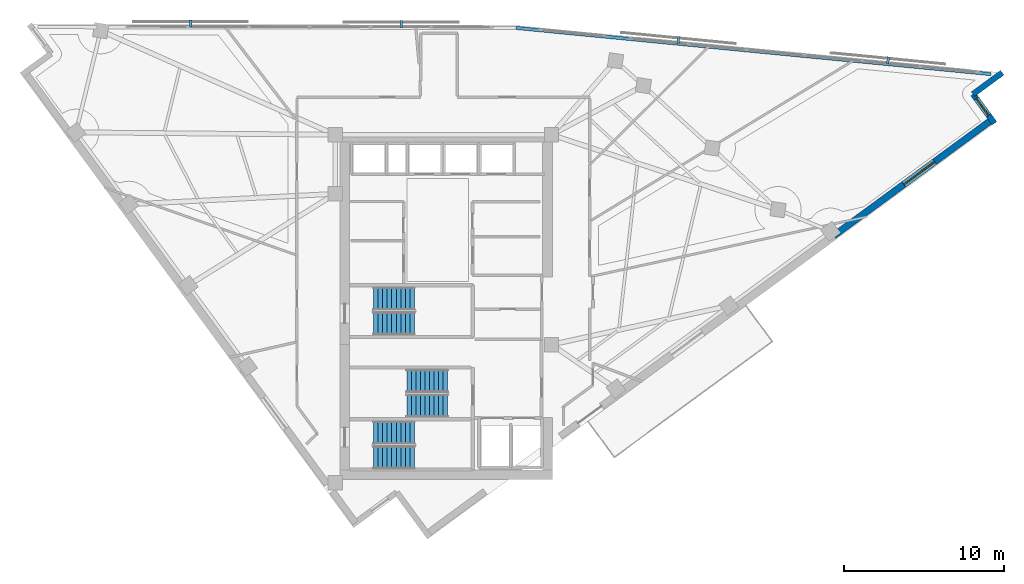
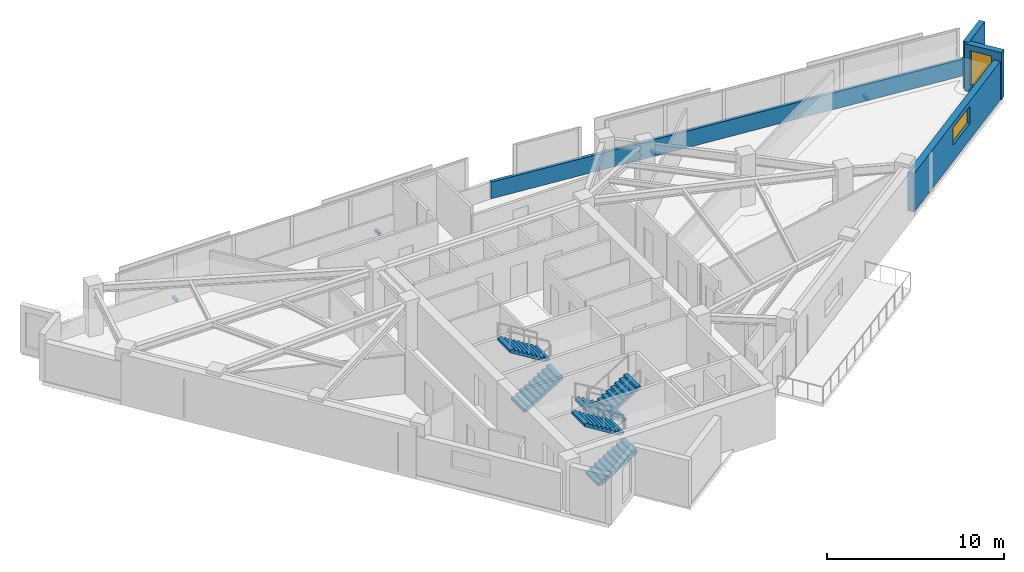
# One storey, part 11 of 13: 6 stair flights, 4 discrete accessories, 4 walls, 2 windows, 2 openings, 3 elements without a shape of their own.
"""IFC4 building model written with IfcOpenShell, lengths in metres."""

from ifc_helpers import new_model, si_unit, direction, frame, frame_2d, origin, origin_2d, place, context, subcontext, project, spatial, polyline, rectangle, outline, extrude, material, layer, layer_set, type_object, element, fill, aggregate, save


model = new_model("IFC4")

# Units and contexts
model_context = context("Model", 3, precision=1e-05, world=origin(), true_north=direction((0.0, 1.0)))
body_context = subcontext(model_context, "Body", "Model", "MODEL_VIEW")
ifc_project = project(units=[si_unit("LENGTHUNIT", "METRE"), si_unit("AREAUNIT", "SQUARE_METRE"), si_unit("VOLUMEUNIT", "CUBIC_METRE"), si_unit("PLANEANGLEUNIT", "RADIAN"), si_unit("MASSUNIT", "GRAM", prefix="KILO")], contexts=[model_context])

# Site, building, storey
site_placement = place(None, origin())
site = spatial("IfcSite", under=ifc_project, at=site_placement, CompositionType="ELEMENT")
building_placement = place(site_placement, origin())
building = spatial("IfcBuilding", under=site, at=building_placement, Name="Narakoshi Arena Tower", CompositionType="ELEMENT")
storey_placement = place(building_placement, frame((0.0, 0.0, 232.580078125)))
storey = spatial("IfcBuildingStorey", under=building, at=storey_placement, Name="L63", CompositionType="ELEMENT", Elevation=232.580078125)

# Wall
ifc_material_1 = material(Name="Precast concrete C45/55", Category="concrete")
ifc_layer_1 = layer(ifc_material_1, 0.25)
ifc_layer_set_1 = layer_set([ifc_layer_1], Name="Precast concrete C45/55")
wall_type_1 = type_object("IfcWallType", Name="WL-PARA-250", PredefinedType="PARAPET", material=ifc_layer_set_1)
wall_1_placement = place(storey_placement, frame((113.093505859375, 60.296630859375, 0.0), z_axis=(0.0, 0.0, 1.0), x_axis=(-0.995299069493, 0.096849172769, 0.0)))
element("IfcWall", 1, at=wall_1_placement, inside=storey, type_object=wall_type_1, Name="L63 Hypotenuse Sill Upstand Parapet 1-01", PredefinedType="PARAPET", context=body_context, shape_type="SweptSolid", body=[
    extrude(rectangle(XDim=29.917236328125, YDim=0.199951171875, at=frame_2d((14.95849609375, 0.0))), origin(), (0.0, 0.0, 1.0), 1.14990234375),
])

# Wall, opening, window
ifc_layer_2 = layer(ifc_material_1, 0.419921875)
ifc_layer_set_2 = layer_set([ifc_layer_2], Name="Precast concrete C45/55")
wall_type_2 = type_object("IfcWallType", Name="WL-POD-420", PredefinedType="SOLIDWALL", material=ifc_layer_set_2)
wall_2_placement = place(storey_placement, frame((103.236572265625, 50.17529296875, 0.0), z_axis=(0.0, 0.0, 1.0), x_axis=(0.80643721533, 0.591319725471, 0.0)))
wall_2 = element("IfcWall", 2, at=wall_2_placement, inside=storey, type_object=wall_type_2, Name="L63 Architectural Concrete Facade Wall LEGA-4", PredefinedType="SOLIDWALL", context=body_context, shape_type="SweptSolid", body=[
    extrude(rectangle(XDim=12.285400390625, YDim=0.419921875, at=frame_2d((6.142578125, 0.0))), origin(), (0.0, 0.0, 1.0), 2.64501953125),
])
opening_1_placement = place(wall_2_placement, frame((5.443359375, 0.0, 1.10009765625)))
opening_1 = element("IfcOpeningElement", 3, at=opening_1_placement, cuts=wall_2, Name="Opening WN-04", PredefinedType="OPENING", context=body_context, shape_type="SweptSolid", body=[
    extrude(rectangle(XDim=2.39990234375, YDim=1.199951171875, at=frame_2d((1.199951171875, 0.60009765625))), frame((0.0, 0.219970703125, 0.0), z_axis=(0.0, -1.0, 0.0), x_axis=(1.0, 0.0, 0.0)), (0.0, 0.0, 1.0), 0.43994140625),
])
ifc_material_2 = material(Name="Bronze-tinted low-E laminated glass", Category="glass")
window_type_1 = type_object("IfcWindowType", Name="WIN-SLT-24x12", PartitioningType="SINGLE_PANEL", PredefinedType="WINDOW", material=ifc_material_2)
window_1_placement = place(opening_1_placement, origin())
window_1 = element("IfcWindow", 4, at=window_1_placement, inside=storey, type_object=window_type_1, Name="L63 LEGA4 Horizontal Slot Window 1", OverallHeight=1.199951171875, OverallWidth=2.39990234375, PartitioningType="SINGLE_PANEL", PredefinedType="WINDOW", context=body_context, shape_type="SweptSolid", body=[
    extrude(rectangle(XDim=2.39990234375, YDim=1.199951171875, at=frame_2d((1.199951171875, 0.60009765625))), frame((0.0, 0.030029296875, 0.0), z_axis=(0.0, -1.0, 0.0), x_axis=(1.0, 0.0, 0.0)), (0.0, 0.0, 1.0), 0.06005859375),
])
fill(opening_1, window_1)

wall_3_placement = place(storey_placement, frame((113.306640625, 57.218017578125, 0.0), z_axis=(0.0, 0.0, 1.0), x_axis=(-0.591251685745, 0.806487101015, 0.0)))
wall_3 = element("IfcWall", 5, at=wall_3_placement, inside=storey, type_object=wall_type_2, Name="L63 Re-Entrant Corner Notch Wall NTE-1", PredefinedType="SOLIDWALL", context=body_context, shape_type="SweptSolid", body=[
    extrude(rectangle(XDim=2.2685546875, YDim=0.360107421875, at=frame_2d((1.13427734375, 0.0))), origin(), (0.0, 0.0, 1.0), 3.260009765625),
])
opening_2_placement = place(wall_3_placement, frame((0.628662109375, 0.0, 0.449951171875)))
opening_2 = element("IfcOpeningElement", 6, at=opening_2_placement, cuts=wall_3, Name="Opening WN-06", PredefinedType="OPENING", context=body_context, shape_type="SweptSolid", body=[
    extrude(rectangle(XDim=1.300048828125, YDim=2.39990234375, at=frame_2d((0.64990234375, 1.199951171875))), frame((0.0, 0.18994140625, 0.0), z_axis=(0.0, -1.0, 0.0), x_axis=(1.0, 0.0, 0.0)), (0.0, 0.0, 1.0), 0.380126953125),
])
window_type_2 = type_object("IfcWindowType", Name="WIN-NTC-16x24", PartitioningType="SINGLE_PANEL", PredefinedType="WINDOW", material=ifc_material_2)
window_2_placement = place(opening_2_placement, origin())
window_2 = element("IfcWindow", 7, at=window_2_placement, inside=storey, type_object=window_type_2, Name="L63 Corner Notch Window NTE", OverallHeight=2.39990234375, OverallWidth=1.300048828125, PartitioningType="SINGLE_PANEL", PredefinedType="WINDOW", context=body_context, shape_type="SweptSolid", body=[
    extrude(rectangle(XDim=1.300048828125, YDim=2.39990234375, at=frame_2d((0.64990234375, 1.199951171875))), frame((0.0, 0.030029296875, 0.0), z_axis=(0.0, -1.0, 0.0), x_axis=(1.0, 0.0, 0.0)), (0.0, 0.0, 1.0), 0.06005859375),
])
fill(opening_2, window_2)

# Wall
wall_4_placement = place(storey_placement, frame((111.96533203125, 59.047607421875, 0.0), z_axis=(0.0, 0.0, 1.0), x_axis=(0.806435785153, 0.59132167593, 0.0)))
element("IfcWall", 8, at=wall_4_placement, inside=storey, type_object=wall_type_2, Name="L63 Re-Entrant Corner Notch Wall NTE-2", PredefinedType="SOLIDWALL", context=body_context, shape_type="SweptSolid", body=[
    extrude(rectangle(XDim=2.268798828125, YDim=0.360107421875, at=frame_2d((1.13427734375, 0.0))), origin(), (0.0, 0.0, 1.0), 3.260009765625),
])

# Stair, stair flights
ifc_material_3 = material(Name="Concrete C45/55", Category="concrete")
stair_type = type_object("IfcStairType", Name="STR-CORE-352", PredefinedType="TWO_STRAIGHT_RUN_STAIR", material=ifc_material_3)
stair_1_placement = place(storey_placement, origin())
stair_1 = element("IfcStair", 9, at=stair_1_placement, inside=storey, type_object=stair_type, Name="L63 Core Escape Stair ST1", PredefinedType="TWO_STRAIGHT_RUN_STAIR")
stair_flight_type = type_object("IfcStairFlightType", Name="FLT-145-160", PredefinedType="STRAIGHT", material=ifc_material_1)
stair_flight_1_placement = place(storey_placement, frame((74.39990234375, 36.27490234375, 0.0), z_axis=(0.0, 0.0, 1.0), x_axis=(1.0, 0.0, 0.0)))
stair_flight_1 = element("IfcStairFlight", 10, at=stair_flight_1_placement, type_object=stair_flight_type, Name="ST1 flight 1", NumberOfRisers=10, NumberOfTreads=9, PredefinedType="STRAIGHT", RiserHeight=0.176, TreadLength=0.285, context=body_context, shape_type="SweptSolid", body=[
    extrude(outline(polyline([(0.0, 0.0), (0.0, 0.176025390625), (0.284912109375, 0.176025390625), (0.284912109375, 0.35205078125), (0.570068359375, 0.35205078125), (0.570068359375, 0.528076171875), (0.85498046875, 0.528076171875), (0.85498046875, 0.7041015625), (1.139892578125, 0.7041015625), (1.139892578125, 0.8798828125), (1.425048828125, 0.8798828125), (1.425048828125, 1.055908203125), (1.7099609375, 1.055908203125), (1.7099609375, 1.23193359375), (1.9951171875, 1.23193359375), (1.9951171875, 1.407958984375), (2.280029296875, 1.407958984375), (2.280029296875, 1.583984375), (2.56494140625, 1.583984375), (2.56494140625, 1.760009765625), (2.56494140625, 1.40771484375), (0.285400390625, 0.0), (0.0, 0.0)])), frame((0.0, 0.72509765625, 0.0), z_axis=(0.0, -1.0, 0.0), x_axis=(1.0, 0.0, 0.0)), (0.0, 0.0, 1.0), 1.449951171875),
])
stair_flight_2_placement = place(storey_placement, frame((76.965087890625, 37.824951171875, 1.760009765625), z_axis=(0.0, 0.0, 1.0), x_axis=(-1.0, 0.0, 0.0)))
stair_flight_2 = element("IfcStairFlight", 11, at=stair_flight_2_placement, type_object=stair_flight_type, Name="ST1 flight 2", NumberOfRisers=10, NumberOfTreads=9, PredefinedType="STRAIGHT", RiserHeight=0.176, TreadLength=0.285, context=body_context, shape_type="SweptSolid", body=[
    extrude(outline(polyline([(0.0, 0.0), (0.0, 0.176025390625), (0.284912109375, 0.176025390625), (0.284912109375, 0.35205078125), (0.570068359375, 0.35205078125), (0.570068359375, 0.528076171875), (0.85498046875, 0.528076171875), (0.85498046875, 0.7041015625), (1.139892578125, 0.7041015625), (1.139892578125, 0.8798828125), (1.425048828125, 0.8798828125), (1.425048828125, 1.055908203125), (1.7099609375, 1.055908203125), (1.7099609375, 1.23193359375), (1.9951171875, 1.23193359375), (1.9951171875, 1.407958984375), (2.280029296875, 1.407958984375), (2.280029296875, 1.583984375), (2.56494140625, 1.583984375), (2.56494140625, 1.760009765625), (2.56494140625, 1.40771484375), (0.285400390625, 0.0), (0.0, 0.0)])), frame((0.0, 0.72509765625, 0.0), z_axis=(0.0, -1.0, 0.0), x_axis=(1.0, 0.0, 0.0)), (0.0, 0.0, 1.0), 1.449951171875),
])
aggregate(stair_1, [stair_flight_1, stair_flight_2])

stair_2_placement = place(storey_placement, origin())
stair_2 = element("IfcStair", 12, at=stair_2_placement, inside=storey, type_object=stair_type, Name="L63 Core Escape Stair ST2", PredefinedType="TWO_STRAIGHT_RUN_STAIR")
stair_flight_3_placement = place(storey_placement, frame((79.050048828125, 41.074951171875, 0.0), z_axis=(0.0, 0.0, 1.0), x_axis=(-1.0, 0.0, 0.0)))
stair_flight_3 = element("IfcStairFlight", 13, at=stair_flight_3_placement, type_object=stair_flight_type, Name="ST2 flight 1", NumberOfRisers=10, NumberOfTreads=9, PredefinedType="STRAIGHT", RiserHeight=0.176, TreadLength=0.285, context=body_context, shape_type="SweptSolid", body=[
    extrude(outline(polyline([(0.0, 0.0), (0.0, 0.176025390625), (0.284912109375, 0.176025390625), (0.284912109375, 0.35205078125), (0.570068359375, 0.35205078125), (0.570068359375, 0.528076171875), (0.85498046875, 0.528076171875), (0.85498046875, 0.7041015625), (1.139892578125, 0.7041015625), (1.139892578125, 0.8798828125), (1.425048828125, 0.8798828125), (1.425048828125, 1.055908203125), (1.7099609375, 1.055908203125), (1.7099609375, 1.23193359375), (1.9951171875, 1.23193359375), (1.9951171875, 1.407958984375), (2.280029296875, 1.407958984375), (2.280029296875, 1.583984375), (2.56494140625, 1.583984375), (2.56494140625, 1.760009765625), (2.56494140625, 1.40771484375), (0.285400390625, 0.0), (0.0, 0.0)])), frame((0.0, 0.72509765625, 0.0), z_axis=(0.0, -1.0, 0.0), x_axis=(1.0, 0.0, 0.0)), (0.0, 0.0, 1.0), 1.449951171875),
])
stair_flight_4_placement = place(storey_placement, frame((76.485107421875, 39.52490234375, 1.760009765625), z_axis=(0.0, 0.0, 1.0), x_axis=(1.0, 0.0, 0.0)))
stair_flight_4 = element("IfcStairFlight", 14, at=stair_flight_4_placement, type_object=stair_flight_type, Name="ST2 flight 2", NumberOfRisers=10, NumberOfTreads=9, PredefinedType="STRAIGHT", RiserHeight=0.176, TreadLength=0.285, context=body_context, shape_type="SweptSolid", body=[
    extrude(outline(polyline([(0.0, 0.0), (0.0, 0.176025390625), (0.284912109375, 0.176025390625), (0.284912109375, 0.35205078125), (0.570068359375, 0.35205078125), (0.570068359375, 0.528076171875), (0.85498046875, 0.528076171875), (0.85498046875, 0.7041015625), (1.139892578125, 0.7041015625), (1.139892578125, 0.8798828125), (1.425048828125, 0.8798828125), (1.425048828125, 1.055908203125), (1.7099609375, 1.055908203125), (1.7099609375, 1.23193359375), (1.9951171875, 1.23193359375), (1.9951171875, 1.407958984375), (2.280029296875, 1.407958984375), (2.280029296875, 1.583984375), (2.56494140625, 1.583984375), (2.56494140625, 1.760009765625), (2.56494140625, 1.40771484375), (0.285400390625, 0.0), (0.0, 0.0)])), frame((0.0, 0.72509765625, 0.0), z_axis=(0.0, -1.0, 0.0), x_axis=(1.0, 0.0, 0.0)), (0.0, 0.0, 1.0), 1.449951171875),
])
aggregate(stair_2, [stair_flight_3, stair_flight_4])

stair_3_placement = place(storey_placement, origin())
stair_3 = element("IfcStair", 15, at=stair_3_placement, inside=storey, type_object=stair_type, Name="L63 Core Escape Stair ST3", PredefinedType="TWO_STRAIGHT_RUN_STAIR")
stair_flight_5_placement = place(storey_placement, frame((74.39990234375, 44.675048828125, 0.0), z_axis=(0.0, 0.0, 1.0), x_axis=(1.0, 0.0, 0.0)))
stair_flight_5 = element("IfcStairFlight", 16, at=stair_flight_5_placement, type_object=stair_flight_type, Name="ST3 flight 1", NumberOfRisers=10, NumberOfTreads=9, PredefinedType="STRAIGHT", RiserHeight=0.176, TreadLength=0.285, context=body_context, shape_type="SweptSolid", body=[
    extrude(outline(polyline([(0.0, 0.0), (0.0, 0.176025390625), (0.284912109375, 0.176025390625), (0.284912109375, 0.35205078125), (0.570068359375, 0.35205078125), (0.570068359375, 0.528076171875), (0.85498046875, 0.528076171875), (0.85498046875, 0.7041015625), (1.139892578125, 0.7041015625), (1.139892578125, 0.8798828125), (1.425048828125, 0.8798828125), (1.425048828125, 1.055908203125), (1.7099609375, 1.055908203125), (1.7099609375, 1.23193359375), (1.9951171875, 1.23193359375), (1.9951171875, 1.407958984375), (2.280029296875, 1.407958984375), (2.280029296875, 1.583984375), (2.56494140625, 1.583984375), (2.56494140625, 1.760009765625), (2.56494140625, 1.40771484375), (0.285400390625, 0.0), (0.0, 0.0)])), frame((0.0, 0.72509765625, 0.0), z_axis=(0.0, -1.0, 0.0), x_axis=(1.0, 0.0, 0.0)), (0.0, 0.0, 1.0), 1.449951171875),
])
stair_flight_6_placement = place(storey_placement, frame((76.965087890625, 46.22509765625, 1.760009765625), z_axis=(0.0, 0.0, 1.0), x_axis=(-1.0, 0.0, 0.0)))
stair_flight_6 = element("IfcStairFlight", 17, at=stair_flight_6_placement, type_object=stair_flight_type, Name="ST3 flight 2", NumberOfRisers=10, NumberOfTreads=9, PredefinedType="STRAIGHT", RiserHeight=0.176, TreadLength=0.285, context=body_context, shape_type="SweptSolid", body=[
    extrude(outline(polyline([(0.0, 0.0), (0.0, 0.176025390625), (0.284912109375, 0.176025390625), (0.284912109375, 0.35205078125), (0.570068359375, 0.35205078125), (0.570068359375, 0.528076171875), (0.85498046875, 0.528076171875), (0.85498046875, 0.7041015625), (1.139892578125, 0.7041015625), (1.139892578125, 0.8798828125), (1.425048828125, 0.8798828125), (1.425048828125, 1.055908203125), (1.7099609375, 1.055908203125), (1.7099609375, 1.23193359375), (1.9951171875, 1.23193359375), (1.9951171875, 1.407958984375), (2.280029296875, 1.407958984375), (2.280029296875, 1.583984375), (2.56494140625, 1.583984375), (2.56494140625, 1.760009765625), (2.56494140625, 1.40771484375), (0.285400390625, 0.0), (0.0, 0.0)])), frame((0.0, 0.72509765625, 0.0), z_axis=(0.0, -1.0, 0.0), x_axis=(1.0, 0.0, 0.0)), (0.0, 0.0, 1.0), 1.449951171875),
])
aggregate(stair_3, [stair_flight_5, stair_flight_6])

# Discrete accessories
ifc_material_4 = material(Name="Structural steel S355J2", Category="steel")
discrete_accessory_type = type_object("IfcDiscreteAccessoryType", Name="ACC-BRK-SCR", PredefinedType="BRACKET", material=ifc_material_4)
for number, where, z_axis, x_axis, name in (
    (18, (106.636474609375, 61.166015625, -0.080078125), (0.0, 0.0, 1.0), (-0.995298664587, 0.096853333819, 0.0), "L63 Solar Screen Support Bracket SHD-L63-SCR1-1"),
    (19, (93.498291015625, 62.444580078125, -0.080078125), (0.0, 0.0, 1.0), (-0.995298664587, 0.096853333819, 0.0), "L63 Solar Screen Support Bracket SHD-L63-SCR1-2"),
    (20, (76.1328125, 63.4462890625, -0.080078125), (0.0, 0.0, 1.0), (-0.999998352629, 0.001815141425, 0.0), "L63 Solar Screen Support Bracket SHD-L63-SCR2-1"),
    (21, (62.9326171875, 63.470458984375, -0.080078125), (0.0, 0.0, 1.0), (-0.999998352629, 0.001815141425, 0.0), "L63 Solar Screen Support Bracket SHD-L63-SCR2-2"),
):
    element("IfcDiscreteAccessory", number, at=place(storey_placement, frame(where, z_axis=z_axis, x_axis=x_axis)), inside=storey, type_object=discrete_accessory_type, Name=name, PredefinedType="BRACKET", context=body_context, shape_type="SweptSolid", body=[
        extrude(rectangle(XDim=0.159912109375, YDim=0.43994140625, at=origin_2d()), origin(), (0.0, 0.0, 1.0), 0.199951171875),
    ])

save(model, "model.ifc")
